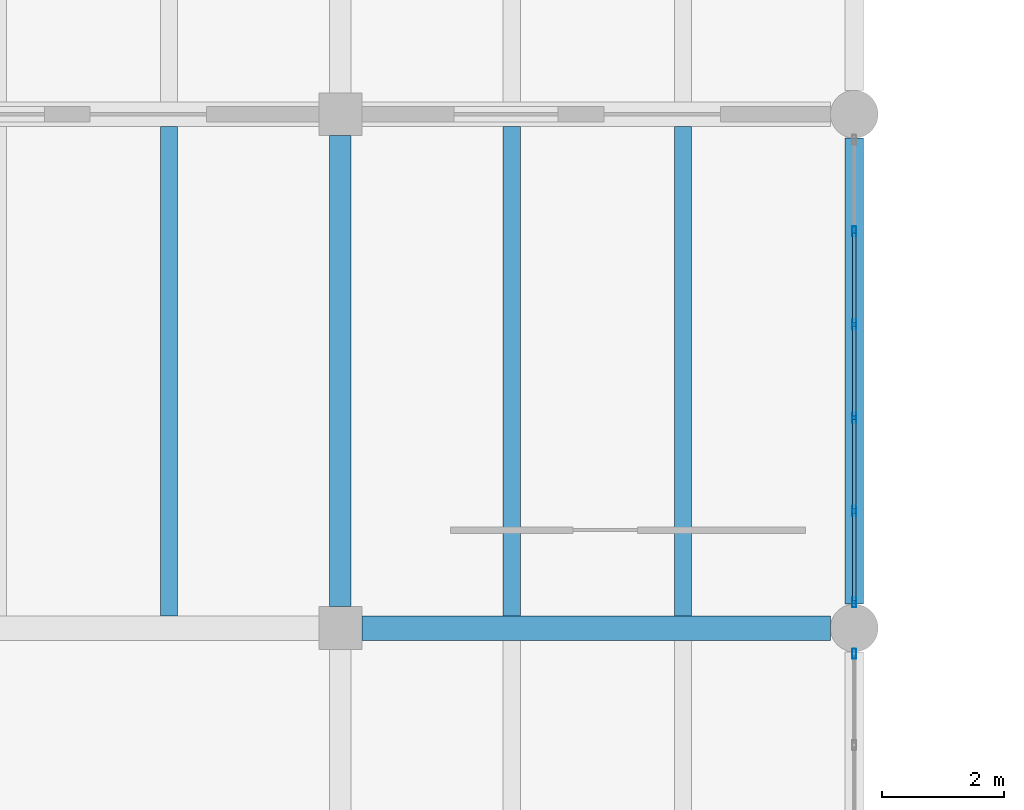
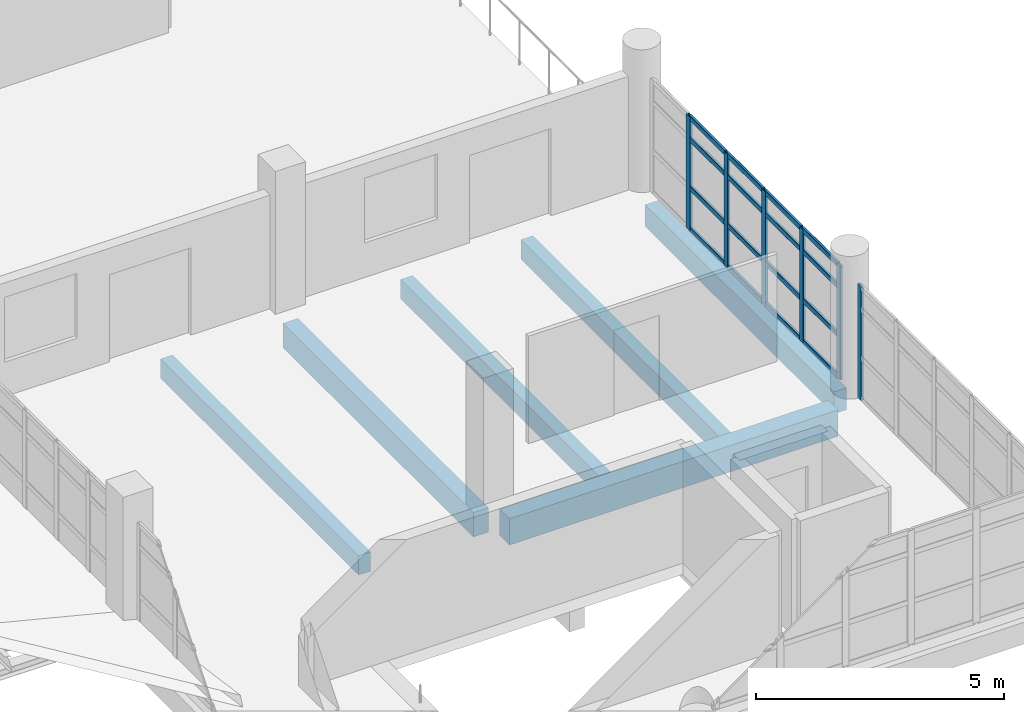
# One storey, part 59 of 95: 22 members, 6 beams, 2 elements without a shape of their own.
"""IFC4 building model written with IfcOpenShell, lengths in metres."""

from ifc_helpers import new_model, si_unit, direction, frame, origin, origin_2d, place, context, subcontext, project, spatial, rectangle, hollow_rectangle, extrude, material, layer, layer_set, material_profile, profile_set, type_object, element, aggregate, save


model = new_model("IFC4")

# Units and contexts
model_context = context("Model", 3, precision=1e-05, world=origin(), true_north=direction((0.0, 1.0)))
body_context = subcontext(model_context, "Body", "Model", "MODEL_VIEW")
ifc_project = project(units=[si_unit("LENGTHUNIT", "METRE"), si_unit("AREAUNIT", "SQUARE_METRE"), si_unit("VOLUMEUNIT", "CUBIC_METRE"), si_unit("PLANEANGLEUNIT", "RADIAN"), si_unit("MASSUNIT", "GRAM", prefix="KILO"), si_unit("THERMODYNAMICTEMPERATUREUNIT", "KELVIN"), si_unit("POWERUNIT", "WATT")], contexts=[model_context])

# Site, building, storey
site_placement = place(None, origin())
site = spatial("IfcSite", under=ifc_project, at=site_placement, CompositionType="ELEMENT")
building_placement = place(site_placement, origin())
building = spatial("IfcBuilding", under=site, at=building_placement, Name="Mavoryth Pier Ferry Terminal", CompositionType="ELEMENT")
storey_placement = place(building_placement, frame((0.0, 0.0, 9.60009765625)))
storey = spatial("IfcBuildingStorey", under=building, at=storey_placement, Name="L02", CompositionType="ELEMENT", Elevation=9.60009765625)

# Beams
ifc_material_1 = material(Name="Concrete C35/45", Category="concrete")
ifc_material_profile_1 = material_profile(ifc_material_1, rectangle(XDim=0.35009765625, YDim=0.60009765625, at=origin_2d()), Name="RC 350x600", Category="concrete")
ifc_profile_set_1 = profile_set([ifc_material_profile_1], Name="Concrete C35/45 - RC 350x600")
beam_type_1 = type_object("IfcBeamType", Name="Girder-RC-350x600", PredefinedType="BEAM", material=ifc_profile_set_1)
beam_1_placement = place(storey_placement, frame((84.0, 81.14990234375, -0.580078125), z_axis=(0.0, 1.0, 0.0), x_axis=(-1.0, 0.0, 0.0)))
element("IfcBeam", 1, at=beam_1_placement, inside=storey, type_object=beam_type_1, Name="Beam B02-BG08-0733", PredefinedType="BEAM", context=body_context, shape_type="SweptSolid", body=[
    extrude(rectangle(XDim=0.35009765625, YDim=0.60009765625, at=origin_2d()), origin(), (0.0, 0.0, 1.0), 7.7001953125),
])
ifc_material_profile_2 = material_profile(ifc_material_1, rectangle(XDim=0.39990234375, YDim=0.64990234375, at=origin_2d()), Name="RC 400x650", Category="concrete")
ifc_profile_set_2 = profile_set([ifc_material_profile_2], Name="Concrete C35/45 - RC 400x650")
beam_type_2 = type_object("IfcBeamType", Name="Girder-RC-400x650", PredefinedType="BEAM", material=ifc_profile_set_2)
beam_2_placement = place(storey_placement, frame((84.35009765625, 80.800048828125, -0.60498046875), z_axis=(1.0, 0.0, 0.0), x_axis=(0.0, 1.0, 0.0)))
element("IfcBeam", 2, at=beam_2_placement, inside=storey, type_object=beam_type_2, Name="Beam B02-BG05-0721", PredefinedType="BEAM", context=body_context, shape_type="SweptSolid", body=[
    extrude(rectangle(XDim=0.39990234375, YDim=0.64990234375, at=origin_2d()), origin(), (0.0, 0.0, 1.0), 7.659912109375),
])
ifc_material_profile_3 = material_profile(ifc_material_1, rectangle(XDim=0.280029296875, YDim=0.47998046875, at=origin_2d()), Name="RC 280x480", Category="concrete")
ifc_profile_set_3 = profile_set([ifc_material_profile_3], Name="Concrete C35/45 - RC 280x480")
beam_type_3 = type_object("IfcBeamType", Name="Joist-RC-280x480", PredefinedType="JOIST", material=ifc_profile_set_3)
for number, where, z_axis, x_axis, name in (
    (3, (81.199951171875, 81.0, -0.52001953125), (0.0, 1.0, 0.0), (-1.0, 0.0, 0.0), "Beam B02-BJ02-0741"),
    (4, (86.800048828125, 81.0, -0.52001953125), (0.0, 1.0, 0.0), (-1.0, 0.0, 0.0), "Beam B02-BJ02-0746"),
    (5, (89.60009765625, 81.0, -0.52001953125), (0.0, 1.0, 0.0), (-1.0, 0.0, 0.0), "Beam B02-BJ02-0747"),
):
    element("IfcBeam", number, at=place(storey_placement, frame(where, z_axis=z_axis, x_axis=x_axis)), inside=storey, type_object=beam_type_3, Name=name, PredefinedType="JOIST", context=body_context, shape_type="SweptSolid", body=[
        extrude(rectangle(XDim=0.280029296875, YDim=0.47998046875, at=origin_2d()), origin(), (0.0, 0.0, 1.0), 8.0),
    ])

# Curtain wall, member
ifc_material_2 = material(Name="Anodised Aluminium and Solar-Control Low-E Glass", Category="aluminium")
ifc_layer = layer(ifc_material_2, 0.159912109375, Name="Anodised Aluminium and Solar-Control Low-E Glass", Category="aluminium")
ifc_layer_set = layer_set([ifc_layer], Name="Anodised Aluminium and Solar-Control Low-E Glass - CW-Arrivals-Mod1400")
curtain_wall_type = type_object("IfcCurtainWallType", Name="CW-Arrivals-Mod1400", PredefinedType="USERDEFINED", material=ifc_layer_set)
curtain_wall_1_placement = place(storey_placement, origin())
curtain_wall_1 = element("IfcCurtainWall", 6, at=curtain_wall_1_placement, inside=storey, type_object=curtain_wall_type, Name="Curtain Wall CW-0222-071", ObjectType="UNITISED CURTAIN WALL", PredefinedType="USERDEFINED")
ifc_material_3 = material(Name="Anodised Aluminium EN AW-6063", Category="aluminium")
ifc_material_profile_4 = material_profile(ifc_material_3, hollow_rectangle(XDim=0.06005859375, YDim=0.1650390625, WallThickness=0.00390625, InnerFilletRadius=0.00390625, OuterFilletRadius=0.008056640625, at=origin_2d()), Name="AL-MULL 165x60x4", Category="aluminium")
ifc_profile_set_4 = profile_set([ifc_material_profile_4], Name="Anodised Aluminium EN AW-6063 - AL-MULL 165x60x4")
member_type_1 = type_object("IfcMemberType", Name="Mullion-Alum-165x60", PredefinedType="MULLION", material=ifc_profile_set_4)
member_1_placement = place(storey_placement, frame((92.39990234375, 80.3798828125, 0.0), z_axis=(0.0, 0.0, 1.0), x_axis=(-1.0, 0.0, 0.0)))
member_1 = element("IfcMember", 7, at=member_1_placement, type_object=member_type_1, Name="CW04 mullion 6", PredefinedType="MULLION", context=body_context, shape_type="SweptSolid", body=[
    extrude(hollow_rectangle(XDim=0.06005859375, YDim=0.1650390625, WallThickness=0.00390625, InnerFilletRadius=0.00390625, OuterFilletRadius=0.008056640625, at=origin_2d()), origin(), (0.0, 0.0, 1.0), 2.804931640625),
])
aggregate(curtain_wall_1, [member_1])

# Curtain wall, members
curtain_wall_2_placement = place(storey_placement, origin())
curtain_wall_2 = element("IfcCurtainWall", 8, at=curtain_wall_2_placement, inside=storey, type_object=curtain_wall_type, Name="Curtain Wall CW-0222-073", ObjectType="UNITISED CURTAIN WALL", PredefinedType="USERDEFINED")
member_2_placement = place(storey_placement, frame((92.39990234375, 81.219970703125, 0.0), z_axis=(0.0, 0.0, 1.0), x_axis=(-1.0, 0.0, 0.0)))
member_2 = element("IfcMember", 9, at=member_2_placement, type_object=member_type_1, Name="CW04 mullion 1", PredefinedType="MULLION", context=body_context, shape_type="SweptSolid", body=[
    extrude(hollow_rectangle(XDim=0.06005859375, YDim=0.1650390625, WallThickness=0.00390625, InnerFilletRadius=0.00390625, OuterFilletRadius=0.008056640625, at=origin_2d()), origin(), (0.0, 0.0, 1.0), 2.804931640625),
])
member_3_placement = place(storey_placement, frame((92.39990234375, 82.714111328125, 0.0), z_axis=(0.0, 0.0, 1.0), x_axis=(-1.0, 0.0, 0.0)))
member_3 = element("IfcMember", 10, at=member_3_placement, type_object=member_type_1, Name="CW04 mullion 2", PredefinedType="MULLION", context=body_context, shape_type="SweptSolid", body=[
    extrude(hollow_rectangle(XDim=0.06005859375, YDim=0.1650390625, WallThickness=0.00390625, InnerFilletRadius=0.00390625, OuterFilletRadius=0.008056640625, at=origin_2d()), origin(), (0.0, 0.0, 1.0), 2.804931640625),
])
member_4_placement = place(storey_placement, frame((92.39990234375, 84.238037109375, 0.0), z_axis=(0.0, 0.0, 1.0), x_axis=(-1.0, 0.0, 0.0)))
member_4 = element("IfcMember", 11, at=member_4_placement, type_object=member_type_1, Name="CW04 mullion 3", PredefinedType="MULLION", context=body_context, shape_type="SweptSolid", body=[
    extrude(hollow_rectangle(XDim=0.06005859375, YDim=0.1650390625, WallThickness=0.00390625, InnerFilletRadius=0.00390625, OuterFilletRadius=0.008056640625, at=origin_2d()), origin(), (0.0, 0.0, 1.0), 2.804931640625),
])
member_5_placement = place(storey_placement, frame((92.39990234375, 85.761962890625, 0.0), z_axis=(0.0, 0.0, 1.0), x_axis=(-1.0, 0.0, 0.0)))
member_5 = element("IfcMember", 12, at=member_5_placement, type_object=member_type_1, Name="CW04 mullion 4", PredefinedType="MULLION", context=body_context, shape_type="SweptSolid", body=[
    extrude(hollow_rectangle(XDim=0.06005859375, YDim=0.1650390625, WallThickness=0.00390625, InnerFilletRadius=0.00390625, OuterFilletRadius=0.008056640625, at=origin_2d()), origin(), (0.0, 0.0, 1.0), 2.804931640625),
])
member_6_placement = place(storey_placement, frame((92.39990234375, 87.285888671875, 0.0), z_axis=(0.0, 0.0, 1.0), x_axis=(-1.0, 0.0, 0.0)))
member_6 = element("IfcMember", 13, at=member_6_placement, type_object=member_type_1, Name="CW04 mullion 5", PredefinedType="MULLION", context=body_context, shape_type="SweptSolid", body=[
    extrude(hollow_rectangle(XDim=0.06005859375, YDim=0.1650390625, WallThickness=0.00390625, InnerFilletRadius=0.00390625, OuterFilletRadius=0.008056640625, at=origin_2d()), origin(), (0.0, 0.0, 1.0), 2.804931640625),
])

# Beam
ifc_material_profile_5 = material_profile(ifc_material_1, rectangle(XDim=0.300048828125, YDim=0.5400390625, at=origin_2d()), Name="RC 300x540", Category="concrete")
ifc_profile_set_5 = profile_set([ifc_material_profile_5], Name="Concrete C35/45 - RC 300x540")
beam_type_4 = type_object("IfcBeamType", Name="Spandrel-RC-300x540", PredefinedType="SPANDREL", material=ifc_profile_set_5)
beam_3_placement = place(storey_placement, frame((92.39990234375, 81.18994140625, -0.550048828125), z_axis=(0.0, 1.0, 0.0), x_axis=(-1.0, 0.0, 0.0)))
element("IfcBeam", 14, at=beam_3_placement, inside=storey, type_object=beam_type_4, Name="Beam B02-SP02-0737", PredefinedType="SPANDREL", context=body_context, shape_type="SweptSolid", body=[
    extrude(rectangle(XDim=0.300048828125, YDim=0.5400390625, at=origin_2d()), origin(), (0.0, 0.0, 1.0), 7.6201171875),
])

# Member
ifc_material_profile_6 = material_profile(ifc_material_3, hollow_rectangle(XDim=0.06005859375, YDim=0.125, WallThickness=0.00390625, InnerFilletRadius=0.00390625, OuterFilletRadius=0.008056640625, at=origin_2d()), Name="AL-TRAN 125x60x4", Category="aluminium")
ifc_profile_set_6 = profile_set([ifc_material_profile_6], Name="Anodised Aluminium EN AW-6063 - AL-TRAN 125x60x4")
member_type_2 = type_object("IfcMemberType", Name="Transom-Alum-125x60", PredefinedType="USERDEFINED", material=ifc_profile_set_6)
member_7_placement = place(storey_placement, frame((92.39990234375, 81.25, 0.02978515625), z_axis=(0.0, 1.0, 0.0), x_axis=(-1.0, 0.0, 0.0)))
member_7 = element("IfcMember", 15, at=member_7_placement, type_object=member_type_2, Name="CW04 transom 1.1", ObjectType="TRANSOM", PredefinedType="USERDEFINED", context=body_context, shape_type="SweptSolid", body=[
    extrude(hollow_rectangle(XDim=0.06005859375, YDim=0.125, WallThickness=0.00390625, InnerFilletRadius=0.00390625, OuterFilletRadius=0.008056640625, at=origin_2d()), origin(), (0.0, 0.0, 1.0), 1.43408203125),
])

member_8_placement = place(storey_placement, frame((92.39990234375, 81.25, 1.0498046875), z_axis=(0.0, 1.0, 0.0), x_axis=(-1.0, 0.0, 0.0)))
member_8 = element("IfcMember", 16, at=member_8_placement, type_object=member_type_2, Name="CW04 transom 1.2", ObjectType="TRANSOM", PredefinedType="USERDEFINED", context=body_context, shape_type="SweptSolid", body=[
    extrude(hollow_rectangle(XDim=0.06005859375, YDim=0.125, WallThickness=0.00390625, InnerFilletRadius=0.00390625, OuterFilletRadius=0.008056640625, at=origin_2d()), origin(), (0.0, 0.0, 1.0), 1.43408203125),
])

member_9_placement = place(storey_placement, frame((92.39990234375, 81.25, 2.25), z_axis=(0.0, 1.0, 0.0), x_axis=(-1.0, 0.0, 0.0)))
member_9 = element("IfcMember", 17, at=member_9_placement, type_object=member_type_2, Name="CW04 transom 1.3", ObjectType="TRANSOM", PredefinedType="USERDEFINED", context=body_context, shape_type="SweptSolid", body=[
    extrude(hollow_rectangle(XDim=0.06005859375, YDim=0.125, WallThickness=0.00390625, InnerFilletRadius=0.00390625, OuterFilletRadius=0.008056640625, at=origin_2d()), origin(), (0.0, 0.0, 1.0), 1.43408203125),
])

member_10_placement = place(storey_placement, frame((92.39990234375, 81.25, 2.77490234375), z_axis=(0.0, 1.0, 0.0), x_axis=(-1.0, 0.0, 0.0)))
member_10 = element("IfcMember", 18, at=member_10_placement, type_object=member_type_2, Name="CW04 transom 1.4", ObjectType="TRANSOM", PredefinedType="USERDEFINED", context=body_context, shape_type="SweptSolid", body=[
    extrude(hollow_rectangle(XDim=0.06005859375, YDim=0.125, WallThickness=0.00390625, InnerFilletRadius=0.00390625, OuterFilletRadius=0.008056640625, at=origin_2d()), origin(), (0.0, 0.0, 1.0), 1.43408203125),
])

member_11_placement = place(storey_placement, frame((92.39990234375, 82.743896484375, 0.02978515625), z_axis=(0.0, 1.0, 0.0), x_axis=(-1.0, 0.0, 0.0)))
member_11 = element("IfcMember", 19, at=member_11_placement, type_object=member_type_2, Name="CW04 transom 2.1", ObjectType="TRANSOM", PredefinedType="USERDEFINED", context=body_context, shape_type="SweptSolid", body=[
    extrude(hollow_rectangle(XDim=0.06005859375, YDim=0.125, WallThickness=0.00390625, InnerFilletRadius=0.00390625, OuterFilletRadius=0.008056640625, at=origin_2d()), origin(), (0.0, 0.0, 1.0), 1.464111328125),
])

member_12_placement = place(storey_placement, frame((92.39990234375, 82.743896484375, 1.0498046875), z_axis=(0.0, 1.0, 0.0), x_axis=(-1.0, 0.0, 0.0)))
member_12 = element("IfcMember", 20, at=member_12_placement, type_object=member_type_2, Name="CW04 transom 2.2", ObjectType="TRANSOM", PredefinedType="USERDEFINED", context=body_context, shape_type="SweptSolid", body=[
    extrude(hollow_rectangle(XDim=0.06005859375, YDim=0.125, WallThickness=0.00390625, InnerFilletRadius=0.00390625, OuterFilletRadius=0.008056640625, at=origin_2d()), origin(), (0.0, 0.0, 1.0), 1.464111328125),
])

member_13_placement = place(storey_placement, frame((92.39990234375, 82.743896484375, 2.25), z_axis=(0.0, 1.0, 0.0), x_axis=(-1.0, 0.0, 0.0)))
member_13 = element("IfcMember", 21, at=member_13_placement, type_object=member_type_2, Name="CW04 transom 2.3", ObjectType="TRANSOM", PredefinedType="USERDEFINED", context=body_context, shape_type="SweptSolid", body=[
    extrude(hollow_rectangle(XDim=0.06005859375, YDim=0.125, WallThickness=0.00390625, InnerFilletRadius=0.00390625, OuterFilletRadius=0.008056640625, at=origin_2d()), origin(), (0.0, 0.0, 1.0), 1.464111328125),
])

member_14_placement = place(storey_placement, frame((92.39990234375, 82.743896484375, 2.77490234375), z_axis=(0.0, 1.0, 0.0), x_axis=(-1.0, 0.0, 0.0)))
member_14 = element("IfcMember", 22, at=member_14_placement, type_object=member_type_2, Name="CW04 transom 2.4", ObjectType="TRANSOM", PredefinedType="USERDEFINED", context=body_context, shape_type="SweptSolid", body=[
    extrude(hollow_rectangle(XDim=0.06005859375, YDim=0.125, WallThickness=0.00390625, InnerFilletRadius=0.00390625, OuterFilletRadius=0.008056640625, at=origin_2d()), origin(), (0.0, 0.0, 1.0), 1.464111328125),
])

member_15_placement = place(storey_placement, frame((92.39990234375, 84.26806640625, 0.02978515625), z_axis=(0.0, 1.0, 0.0), x_axis=(-1.0, 0.0, 0.0)))
member_15 = element("IfcMember", 23, at=member_15_placement, type_object=member_type_2, Name="CW04 transom 3.1", ObjectType="TRANSOM", PredefinedType="USERDEFINED", context=body_context, shape_type="SweptSolid", body=[
    extrude(hollow_rectangle(XDim=0.06005859375, YDim=0.125, WallThickness=0.00390625, InnerFilletRadius=0.00390625, OuterFilletRadius=0.008056640625, at=origin_2d()), origin(), (0.0, 0.0, 1.0), 1.4638671875),
])

member_16_placement = place(storey_placement, frame((92.39990234375, 84.26806640625, 1.0498046875), z_axis=(0.0, 1.0, 0.0), x_axis=(-1.0, 0.0, 0.0)))
member_16 = element("IfcMember", 24, at=member_16_placement, type_object=member_type_2, Name="CW04 transom 3.2", ObjectType="TRANSOM", PredefinedType="USERDEFINED", context=body_context, shape_type="SweptSolid", body=[
    extrude(hollow_rectangle(XDim=0.06005859375, YDim=0.125, WallThickness=0.00390625, InnerFilletRadius=0.00390625, OuterFilletRadius=0.008056640625, at=origin_2d()), origin(), (0.0, 0.0, 1.0), 1.4638671875),
])

member_17_placement = place(storey_placement, frame((92.39990234375, 84.26806640625, 2.25), z_axis=(0.0, 1.0, 0.0), x_axis=(-1.0, 0.0, 0.0)))
member_17 = element("IfcMember", 25, at=member_17_placement, type_object=member_type_2, Name="CW04 transom 3.3", ObjectType="TRANSOM", PredefinedType="USERDEFINED", context=body_context, shape_type="SweptSolid", body=[
    extrude(hollow_rectangle(XDim=0.06005859375, YDim=0.125, WallThickness=0.00390625, InnerFilletRadius=0.00390625, OuterFilletRadius=0.008056640625, at=origin_2d()), origin(), (0.0, 0.0, 1.0), 1.4638671875),
])

member_18_placement = place(storey_placement, frame((92.39990234375, 84.26806640625, 2.77490234375), z_axis=(0.0, 1.0, 0.0), x_axis=(-1.0, 0.0, 0.0)))
member_18 = element("IfcMember", 26, at=member_18_placement, type_object=member_type_2, Name="CW04 transom 3.4", ObjectType="TRANSOM", PredefinedType="USERDEFINED", context=body_context, shape_type="SweptSolid", body=[
    extrude(hollow_rectangle(XDim=0.06005859375, YDim=0.125, WallThickness=0.00390625, InnerFilletRadius=0.00390625, OuterFilletRadius=0.008056640625, at=origin_2d()), origin(), (0.0, 0.0, 1.0), 1.4638671875),
])

member_19_placement = place(storey_placement, frame((92.39990234375, 85.7919921875, 0.02978515625), z_axis=(0.0, 1.0, 0.0), x_axis=(-1.0, 0.0, 0.0)))
member_19 = element("IfcMember", 27, at=member_19_placement, type_object=member_type_2, Name="CW04 transom 4.1", ObjectType="TRANSOM", PredefinedType="USERDEFINED", context=body_context, shape_type="SweptSolid", body=[
    extrude(hollow_rectangle(XDim=0.06005859375, YDim=0.125, WallThickness=0.00390625, InnerFilletRadius=0.00390625, OuterFilletRadius=0.008056640625, at=origin_2d()), origin(), (0.0, 0.0, 1.0), 1.464111328125),
])

member_20_placement = place(storey_placement, frame((92.39990234375, 85.7919921875, 1.0498046875), z_axis=(0.0, 1.0, 0.0), x_axis=(-1.0, 0.0, 0.0)))
member_20 = element("IfcMember", 28, at=member_20_placement, type_object=member_type_2, Name="CW04 transom 4.2", ObjectType="TRANSOM", PredefinedType="USERDEFINED", context=body_context, shape_type="SweptSolid", body=[
    extrude(hollow_rectangle(XDim=0.06005859375, YDim=0.125, WallThickness=0.00390625, InnerFilletRadius=0.00390625, OuterFilletRadius=0.008056640625, at=origin_2d()), origin(), (0.0, 0.0, 1.0), 1.464111328125),
])

member_21_placement = place(storey_placement, frame((92.39990234375, 85.7919921875, 2.25), z_axis=(0.0, 1.0, 0.0), x_axis=(-1.0, 0.0, 0.0)))
member_21 = element("IfcMember", 29, at=member_21_placement, type_object=member_type_2, Name="CW04 transom 4.3", ObjectType="TRANSOM", PredefinedType="USERDEFINED", context=body_context, shape_type="SweptSolid", body=[
    extrude(hollow_rectangle(XDim=0.06005859375, YDim=0.125, WallThickness=0.00390625, InnerFilletRadius=0.00390625, OuterFilletRadius=0.008056640625, at=origin_2d()), origin(), (0.0, 0.0, 1.0), 1.464111328125),
])

member_22_placement = place(storey_placement, frame((92.39990234375, 85.7919921875, 2.77490234375), z_axis=(0.0, 1.0, 0.0), x_axis=(-1.0, 0.0, 0.0)))
member_22 = element("IfcMember", 30, at=member_22_placement, type_object=member_type_2, Name="CW04 transom 4.4", ObjectType="TRANSOM", PredefinedType="USERDEFINED", context=body_context, shape_type="SweptSolid", body=[
    extrude(hollow_rectangle(XDim=0.06005859375, YDim=0.125, WallThickness=0.00390625, InnerFilletRadius=0.00390625, OuterFilletRadius=0.008056640625, at=origin_2d()), origin(), (0.0, 0.0, 1.0), 1.464111328125),
])

aggregate(curtain_wall_2, [member_2, member_3, member_4, member_5, member_6, member_7, member_8, member_9, member_10, member_11, member_12, member_13, member_14, member_15, member_16, member_17, member_18, member_19, member_20, member_21, member_22])

save(model, "model.ifc")
